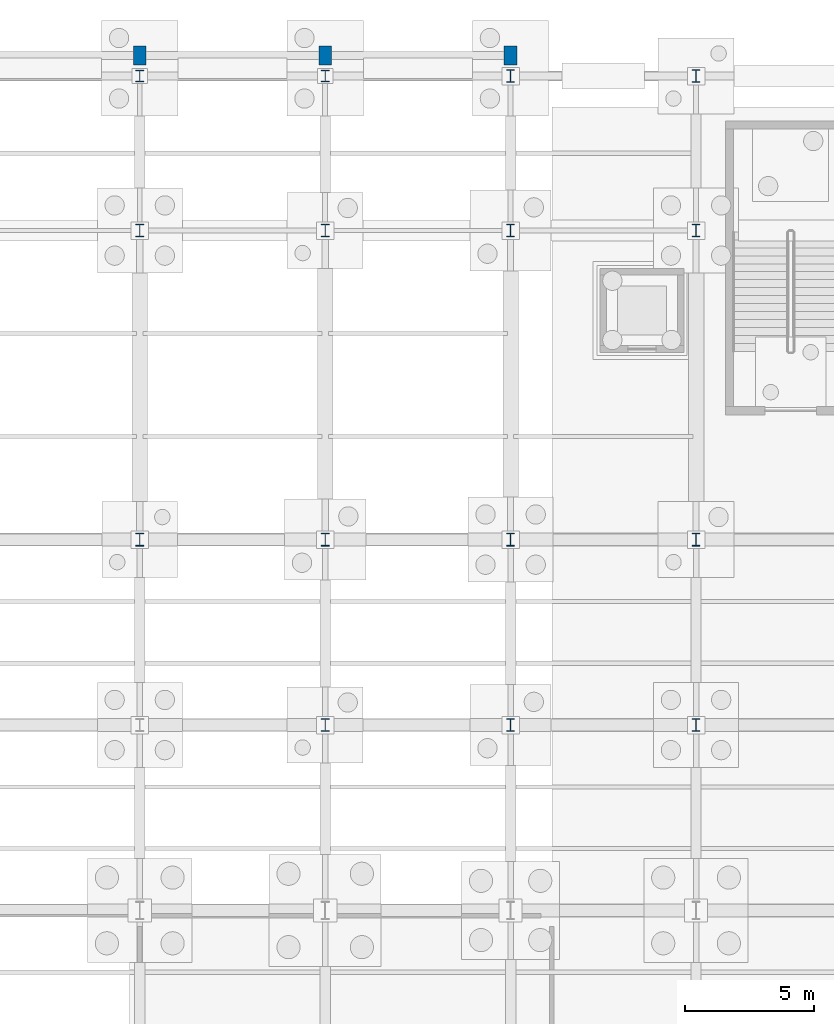
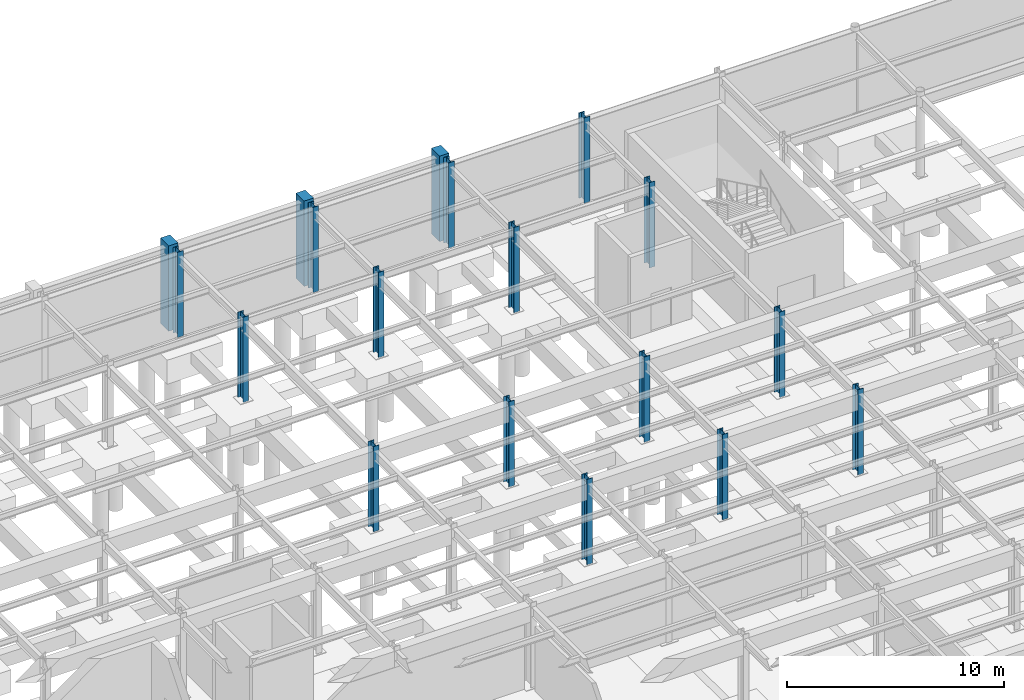
# One storey, part 26 of 64: 18 columns.
"""IFC4 building model written with IfcOpenShell, lengths in metres."""

from ifc_helpers import new_model, si_unit, direction, frame, origin, origin_2d, place, context, subcontext, project, spatial, rectangle, i_section, extrude, material, material_profile, profile_set, type_object, element, save


model = new_model("IFC4")

# Units and contexts
model_context = context("Model", 3, precision=1e-05, world=origin(), true_north=direction((0.0, 1.0)))
body_context = subcontext(model_context, "Body", "Model", "MODEL_VIEW")
ifc_project = project(units=[si_unit("LENGTHUNIT", "METRE"), si_unit("AREAUNIT", "SQUARE_METRE"), si_unit("VOLUMEUNIT", "CUBIC_METRE"), si_unit("PLANEANGLEUNIT", "RADIAN"), si_unit("MASSUNIT", "GRAM", prefix="KILO")], contexts=[model_context])

# Site, building, storey
site_placement = place(None, origin())
site = spatial("IfcSite", under=ifc_project, at=site_placement, CompositionType="ELEMENT")
building_placement = place(site_placement, origin())
building = spatial("IfcBuilding", under=site, at=building_placement, Name="Solvadek Multi-Sports Hall", CompositionType="ELEMENT")
storey_placement = place(building_placement, frame((0.0, 0.0, -4.800048828125)))
storey = spatial("IfcBuildingStorey", under=building, at=storey_placement, Name="B1", CompositionType="ELEMENT", Elevation=-4.800048828125)

# Columns
ifc_material_1 = material(Name="Steel E350 (350 MPa)", Category="steel")
ifc_material_profile_1 = material_profile(ifc_material_1, i_section(OverallWidth=0.300048828125, OverallDepth=0.449951171875, WebThickness=0.013916015625, FlangeThickness=0.02587890625, at=origin_2d()), Name="WPB 450")
ifc_profile_set_1 = profile_set([ifc_material_profile_1], Name="Steel E350 (350 MPa)")
column_type_1 = type_object("IfcColumnType", Name="STR-COL-WPB450", PredefinedType="COLUMN", material=ifc_profile_set_1)
for number, where, z_axis, x_axis, name in (
    (1, (36.0, 110.39990234375, 0.0), (0.0, 0.0, 1.0), (1.0, 0.0, 0.0), "B1 Column C-06 #80"),
    (2, (43.199951171875, 110.39990234375, 0.0), (0.0, 0.0, 1.0), (1.0, 0.0, 0.0), "B1 Column C-06 #96"),
):
    element("IfcColumn", number, at=place(storey_placement, frame(where, z_axis=z_axis, x_axis=x_axis)), inside=storey, type_object=column_type_1, Name=name, PredefinedType="COLUMN", context=body_context, shape_type="SweptSolid", body=[
        extrude(i_section(OverallWidth=0.300048828125, OverallDepth=0.449951171875, WebThickness=0.013916015625, FlangeThickness=0.02587890625, at=origin_2d()), origin(), (0.0, 0.0, 1.0), 4.800048828125),
    ])
ifc_material_profile_2 = material_profile(ifc_material_1, i_section(OverallWidth=0.300048828125, OverallDepth=0.5, WebThickness=0.014404296875, FlangeThickness=0.028076171875, at=origin_2d()), Name="WPB 500")
ifc_profile_set_2 = profile_set([ifc_material_profile_2], Name="Steel E350 (350 MPa)")
column_type_2 = type_object("IfcColumnType", Name="STR-COL-WPB500", PredefinedType="COLUMN", material=ifc_profile_set_2)
for number, where, z_axis, x_axis, name in (
    (3, (36.0, 92.39990234375, 0.0), (0.0, 0.0, 1.0), (1.0, 0.0, 0.0), "B1 Column C-05 #78"),
    (4, (36.0, 104.39990234375, 0.0), (0.0, 0.0, 1.0), (1.0, 0.0, 0.0), "B1 Column C-05 #79"),
    (5, (43.199951171875, 85.199951171875, 0.0), (0.0, 0.0, 1.0), (1.0, 0.0, 0.0), "B1 Column C-05 #93"),
    (6, (43.199951171875, 92.39990234375, 0.0), (0.0, 0.0, 1.0), (1.0, 0.0, 0.0), "B1 Column C-05 #94"),
    (7, (43.199951171875, 104.39990234375, 0.0), (0.0, 0.0, 1.0), (1.0, 0.0, 0.0), "B1 Column C-05 #95"),
    (8, (50.39990234375, 85.199951171875, 0.0), (0.0, 0.0, 1.0), (1.0, 0.0, 0.0), "B1 Column C-05 #109"),
    (9, (50.39990234375, 92.39990234375, 0.0), (0.0, 0.0, 1.0), (1.0, 0.0, 0.0), "B1 Column C-05 #110"),
    (10, (50.39990234375, 104.39990234375, 0.0), (0.0, 0.0, 1.0), (1.0, 0.0, 0.0), "B1 Column C-05 #111"),
    (11, (50.39990234375, 110.39990234375, 0.0), (0.0, 0.0, 1.0), (1.0, 0.0, 0.0), "B1 Column C-05 #112"),
    (12, (57.60009765625, 85.199951171875, 0.0), (0.0, 0.0, 1.0), (1.0, 0.0, 0.0), "B1 Column C-05 #125"),
    (13, (57.60009765625, 92.39990234375, 0.0), (0.0, 0.0, 1.0), (1.0, 0.0, 0.0), "B1 Column C-05 #126"),
    (14, (57.60009765625, 104.39990234375, 0.0), (0.0, 0.0, 1.0), (1.0, 0.0, 0.0), "B1 Column C-05 #127"),
    (15, (57.60009765625, 110.39990234375, 0.0), (0.0, 0.0, 1.0), (1.0, 0.0, 0.0), "B1 Column C-05 #128"),
):
    element("IfcColumn", number, at=place(storey_placement, frame(where, z_axis=z_axis, x_axis=x_axis)), inside=storey, type_object=column_type_2, Name=name, PredefinedType="COLUMN", context=body_context, shape_type="SweptSolid", body=[
        extrude(i_section(OverallWidth=0.300048828125, OverallDepth=0.5, WebThickness=0.014404296875, FlangeThickness=0.028076171875, at=origin_2d()), origin(), (0.0, 0.0, 1.0), 4.800048828125),
    ])
ifc_material_2 = material(Name="Precast concrete M40", Category="concrete")
ifc_material_profile_3 = material_profile(ifc_material_2, rectangle(XDim=0.5, YDim=0.75, at=origin_2d()), Name="RC PILASTER 750x500")
ifc_profile_set_3 = profile_set([ifc_material_profile_3], Name="Precast concrete M40")
column_type_3 = type_object("IfcColumnType", Name="STR-PIL-750X500", PredefinedType="PILASTER", material=ifc_profile_set_3)
for number, where, z_axis, x_axis, name in (
    (16, (36.0, 111.199951171875, 0.0), (0.0, 0.0, 1.0), (1.0, 0.0, 0.0), "B1 Column CP-02 #320"),
    (17, (43.199951171875, 111.199951171875, 0.0), (0.0, 0.0, 1.0), (1.0, 0.0, 0.0), "B1 Column CP-02 #321"),
    (18, (50.39990234375, 111.199951171875, 0.0), (0.0, 0.0, 1.0), (1.0, 0.0, 0.0), "B1 Column CP-02 #322"),
):
    element("IfcColumn", number, at=place(storey_placement, frame(where, z_axis=z_axis, x_axis=x_axis)), inside=storey, type_object=column_type_3, Name=name, PredefinedType="PILASTER", context=body_context, shape_type="SweptSolid", body=[
        extrude(rectangle(XDim=0.5, YDim=0.75, at=origin_2d()), origin(), (0.0, 0.0, 1.0), 4.800048828125),
    ])

save(model, "model.ifc")
